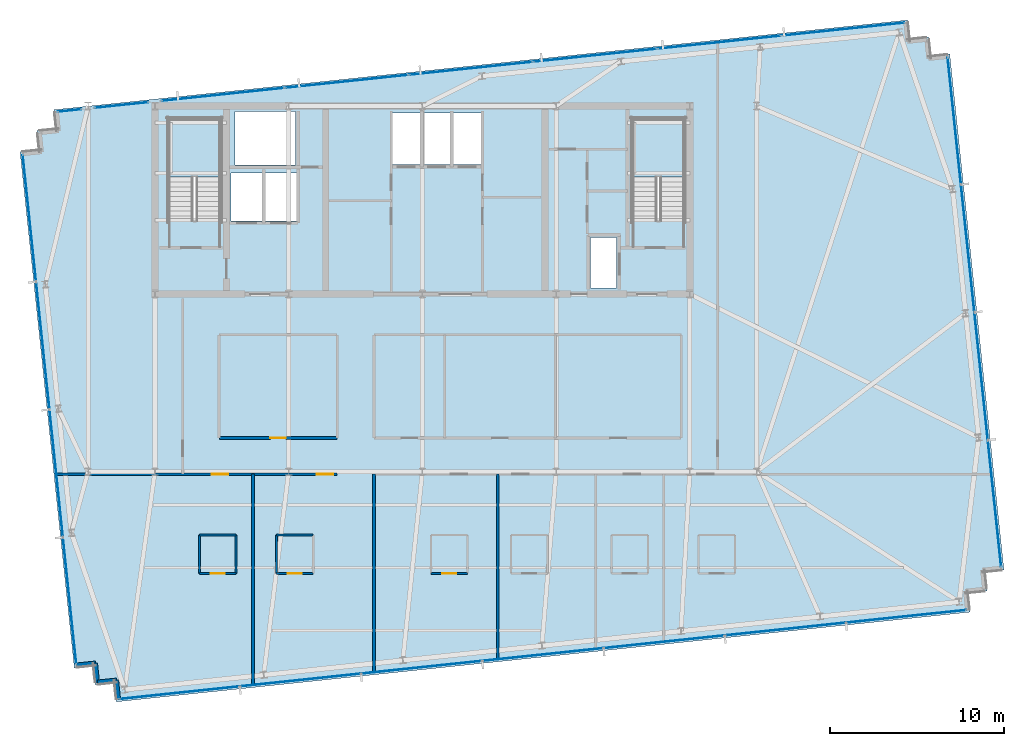
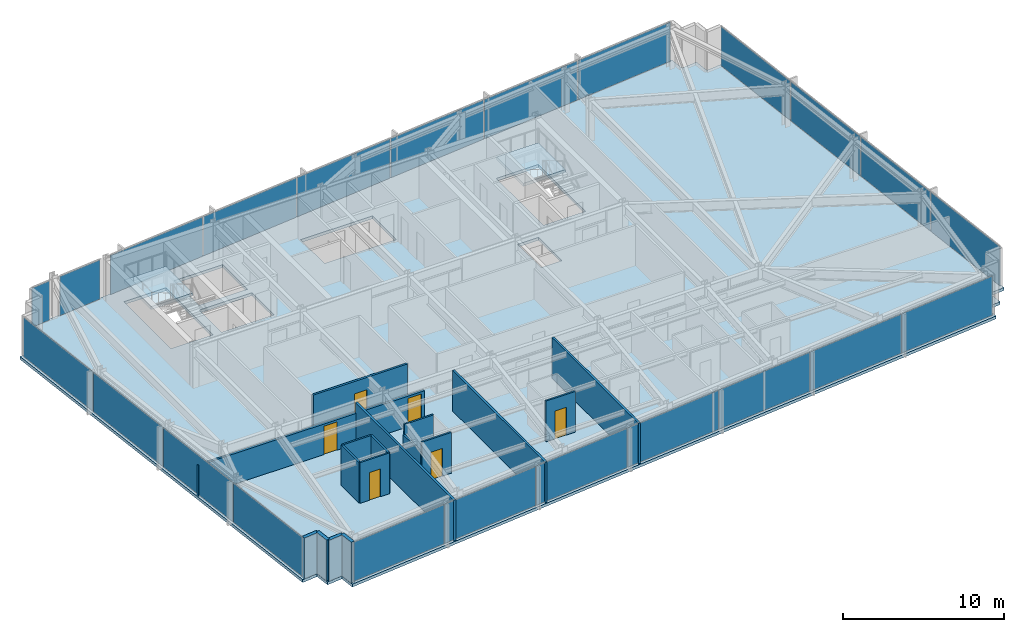
# One storey, part 26 of 33: 23 plates, 17 walls, 6 doors, 3 slabs, 6 openings, 8 elements without a shape of their own.
"""IFC4 building model written with IfcOpenShell, lengths in metres."""

from ifc_helpers import new_model, si_unit, direction, frame, frame_2d, origin, origin_2d, place, context, subcontext, project, spatial, polyline, rectangle, outline, extrude, material, layer, layer_set, type_object, element, fill, aggregate, save


model = new_model("IFC4")

# Units and contexts
model_context = context("Model", 3, precision=1e-05, world=origin(), true_north=direction((0.0, 1.0)))
body_context = subcontext(model_context, "Body", "Model", "MODEL_VIEW")
ifc_project = project(units=[si_unit("LENGTHUNIT", "METRE"), si_unit("AREAUNIT", "SQUARE_METRE"), si_unit("VOLUMEUNIT", "CUBIC_METRE"), si_unit("PLANEANGLEUNIT", "RADIAN"), si_unit("MASSUNIT", "GRAM", prefix="KILO")], contexts=[model_context])

# Site, building, storey
site_placement = place(None, origin())
site = spatial("IfcSite", under=ifc_project, at=site_placement, CompositionType="ELEMENT")
building_placement = place(site_placement, origin())
building = spatial("IfcBuilding", under=site, at=building_placement, Name="Yelkora Congress Tower", CompositionType="ELEMENT")
storey_placement = place(building_placement, frame((0.0, 0.0, 240.800048828125)))
storey = spatial("IfcBuildingStorey", under=building, at=storey_placement, Name="L67", CompositionType="ELEMENT", Elevation=240.800048828125)

# Curtain wall, plates
ifc_material_1 = material(Name="Anodised aluminium and insulated glass", Category="aluminium")
curtain_wall_type = type_object("IfcCurtainWallType", Name="CW-SYS-B4", PredefinedType="NOTDEFINED", material=ifc_material_1)
curtain_wall_1_placement = place(storey_placement, origin())
curtain_wall_1 = element("IfcCurtainWall", 1, at=curtain_wall_1_placement, inside=storey, type_object=curtain_wall_type, Name="L67 Unitised Curtain Wall 5", PredefinedType="NOTDEFINED")
ifc_material_2 = material(Name="Triple-silver diplomatic glass unit B4", Category="glass")
ifc_layer_1 = layer(ifc_material_2, 0.035888671875)
ifc_layer_set_1 = layer_set([ifc_layer_1], Name="Triple-silver diplomatic glass unit B4")
plate_type = type_object("IfcPlateType", Name="PLT-PN-B4", PredefinedType="CURTAIN_PANEL", material=ifc_layer_set_1)
plate_1_placement = place(storey_placement, frame((18.139404296875, 17.7724609375, 0.06005859375), z_axis=(0.0, 0.0, 1.0), x_axis=(-0.104526079034, 0.994522145958, 0.0)))
plate_1 = element("IfcPlate", 2, at=plate_1_placement, type_object=plate_type, Name="CW-B4 panel 1.1", PredefinedType="CURTAIN_PANEL", context=body_context, shape_type="SweptSolid", body=[
    extrude(rectangle(XDim=7.282470703125, YDim=0.035888671875, at=origin_2d()), origin(), (0.0, 0.0, 1.0), 2.9599609375),
])
plate_2_placement = place(storey_placement, frame((17.36962890625, 25.095703125, 0.06005859375), z_axis=(0.0, 0.0, 1.0), x_axis=(-0.104526079034, 0.994522145958, 0.0)))
plate_2 = element("IfcPlate", 3, at=plate_2_placement, type_object=plate_type, Name="CW-B4 panel 2.1", PredefinedType="CURTAIN_PANEL", context=body_context, shape_type="SweptSolid", body=[
    extrude(rectangle(XDim=7.31494140625, YDim=0.035888671875, at=origin_2d()), origin(), (0.0, 0.0, 1.0), 2.9599609375),
])
plate_3_placement = place(storey_placement, frame((16.59814453125, 32.435302734375, 0.06005859375), z_axis=(0.0, 0.0, 1.0), x_axis=(-0.104526079034, 0.994522145958, 0.0)))
plate_3 = element("IfcPlate", 4, at=plate_3_placement, type_object=plate_type, Name="CW-B4 panel 3.1", PredefinedType="CURTAIN_PANEL", context=body_context, shape_type="SweptSolid", body=[
    extrude(rectangle(XDim=7.31494140625, YDim=0.035888671875, at=origin_2d()), origin(), (0.0, 0.0, 1.0), 2.9599609375),
])
plate_4_placement = place(storey_placement, frame((15.82861328125, 39.7587890625, 0.06005859375), z_axis=(0.0, 0.0, 1.0), x_axis=(-0.104526079034, 0.994522145958, 0.0)))
plate_4 = element("IfcPlate", 5, at=plate_4_placement, type_object=plate_type, Name="CW-B4 panel 4.1", PredefinedType="CURTAIN_PANEL", context=body_context, shape_type="SweptSolid", body=[
    extrude(rectangle(XDim=7.282470703125, YDim=0.035888671875, at=origin_2d()), origin(), (0.0, 0.0, 1.0), 2.9599609375),
])
aggregate(curtain_wall_1, [plate_1, plate_2, plate_3, plate_4])

# Curtain wall, plate
curtain_wall_2_placement = place(storey_placement, origin())
curtain_wall_2 = element("IfcCurtainWall", 6, at=curtain_wall_2_placement, inside=storey, type_object=curtain_wall_type, Name="L67 Unitised Curtain Wall 10 (1)", PredefinedType="NOTDEFINED")
plate_5_placement = place(storey_placement, frame((18.136474609375, 45.940185546875, 0.06005859375), z_axis=(0.0, 0.0, 1.0), x_axis=(0.994523910137, 0.104509292244, 0.0)))
plate_5 = element("IfcPlate", 7, at=plate_5_placement, type_object=plate_type, Name="CW-B4 panel 1.1", PredefinedType="CURTAIN_PANEL", context=body_context, shape_type="SweptSolid", body=[
    extrude(rectangle(XDim=1.35302734375, YDim=0.035888671875, at=origin_2d()), origin(), (0.0, 0.0, 1.0), 2.9599609375),
])
aggregate(curtain_wall_2, [plate_5])

curtain_wall_3_placement = place(storey_placement, origin())
curtain_wall_3 = element("IfcCurtainWall", 8, at=curtain_wall_3_placement, inside=storey, type_object=curtain_wall_type, Name="L67 Unitised Curtain Wall 10 (2)", PredefinedType="NOTDEFINED")
plate_6_placement = place(storey_placement, frame((21.1201171875, 46.253662109375, 0.06005859375), z_axis=(0.0, 0.0, 1.0), x_axis=(0.994524239868, 0.104506154437, 0.0)))
plate_6 = element("IfcPlate", 9, at=plate_6_placement, type_object=plate_type, Name="CW-B4 panel 1.1", PredefinedType="CURTAIN_PANEL", context=body_context, shape_type="SweptSolid", body=[
    extrude(rectangle(XDim=3.075439453125, YDim=0.035888671875, at=origin_2d()), origin(), (0.0, 0.0, 1.0), 2.9599609375),
])
aggregate(curtain_wall_3, [plate_6])

# Curtain wall, plates
curtain_wall_4_placement = place(storey_placement, origin())
curtain_wall_4 = element("IfcCurtainWall", 10, at=curtain_wall_4_placement, inside=storey, type_object=curtain_wall_type, Name="L67 Unitised Curtain Wall 10 (3)", PredefinedType="NOTDEFINED")
plate_7_placement = place(storey_placement, frame((26.947509765625, 46.8662109375, 0.06005859375), z_axis=(0.0, 0.0, 1.0), x_axis=(0.994521973066, 0.104527724021, 0.0)))
plate_7 = element("IfcPlate", 11, at=plate_7_placement, type_object=plate_type, Name="CW-B4 panel 1.1", PredefinedType="CURTAIN_PANEL", context=body_context, shape_type="SweptSolid", body=[
    extrude(rectangle(XDim=7.072509765625, YDim=0.035888671875, at=origin_2d()), origin(), (0.0, 0.0, 1.0), 2.9599609375),
])
plate_8_placement = place(storey_placement, frame((34.06201171875, 47.614013671875, 0.06005859375), z_axis=(0.0, 0.0, 1.0), x_axis=(0.994521973066, 0.104527724021, 0.0)))
plate_8 = element("IfcPlate", 12, at=plate_8_placement, type_object=plate_type, Name="CW-B4 panel 2.1", PredefinedType="CURTAIN_PANEL", context=body_context, shape_type="SweptSolid", body=[
    extrude(rectangle(XDim=7.10498046875, YDim=0.035888671875, at=origin_2d()), origin(), (0.0, 0.0, 1.0), 2.9599609375),
])
plate_9_placement = place(storey_placement, frame((41.19287109375, 48.363525390625, 0.06005859375), z_axis=(0.0, 0.0, 1.0), x_axis=(0.994521973066, 0.104527724021, 0.0)))
plate_9 = element("IfcPlate", 13, at=plate_9_placement, type_object=plate_type, Name="CW-B4 panel 3.1", PredefinedType="CURTAIN_PANEL", context=body_context, shape_type="SweptSolid", body=[
    extrude(rectangle(XDim=7.10498046875, YDim=0.035888671875, at=origin_2d()), origin(), (0.0, 0.0, 1.0), 2.9599609375),
])
plate_10_placement = place(storey_placement, frame((48.32373046875, 49.113037109375, 0.06005859375), z_axis=(0.0, 0.0, 1.0), x_axis=(0.994521973066, 0.104527724021, 0.0)))
plate_10 = element("IfcPlate", 14, at=plate_10_placement, type_object=plate_type, Name="CW-B4 panel 4.1", PredefinedType="CURTAIN_PANEL", context=body_context, shape_type="SweptSolid", body=[
    extrude(rectangle(XDim=7.10498046875, YDim=0.035888671875, at=origin_2d()), origin(), (0.0, 0.0, 1.0), 2.9599609375),
])
plate_11_placement = place(storey_placement, frame((55.454345703125, 49.8623046875, 0.06005859375), z_axis=(0.0, 0.0, 1.0), x_axis=(0.994521973066, 0.104527724021, 0.0)))
plate_11 = element("IfcPlate", 15, at=plate_11_placement, type_object=plate_type, Name="CW-B4 panel 5.1", PredefinedType="CURTAIN_PANEL", context=body_context, shape_type="SweptSolid", body=[
    extrude(rectangle(XDim=7.10498046875, YDim=0.035888671875, at=origin_2d()), origin(), (0.0, 0.0, 1.0), 2.9599609375),
])
plate_12_placement = place(storey_placement, frame((62.56884765625, 50.610107421875, 0.06005859375), z_axis=(0.0, 0.0, 1.0), x_axis=(0.994521973066, 0.104527724021, 0.0)))
plate_12 = element("IfcPlate", 16, at=plate_12_placement, type_object=plate_type, Name="CW-B4 panel 6.1", PredefinedType="CURTAIN_PANEL", context=body_context, shape_type="SweptSolid", body=[
    extrude(rectangle(XDim=7.072509765625, YDim=0.035888671875, at=origin_2d()), origin(), (0.0, 0.0, 1.0), 2.9599609375),
])
aggregate(curtain_wall_4, [plate_7, plate_8, plate_9, plate_10, plate_11, plate_12])

curtain_wall_5_placement = place(storey_placement, origin())
curtain_wall_5 = element("IfcCurtainWall", 17, at=curtain_wall_5_placement, inside=storey, type_object=curtain_wall_type, Name="L67 Unitised Curtain Wall 15", PredefinedType="NOTDEFINED")
plate_13_placement = place(storey_placement, frame((68.955810546875, 45.3427734375, 0.06005859375), z_axis=(0.0, 0.0, 1.0), x_axis=(0.104525726898, -0.994522182968, 0.0)))
plate_13 = element("IfcPlate", 18, at=plate_13_placement, type_object=plate_type, Name="CW-B4 panel 1.1", PredefinedType="CURTAIN_PANEL", context=body_context, shape_type="SweptSolid", body=[
    extrude(rectangle(XDim=7.282470703125, YDim=0.035888671875, at=origin_2d()), origin(), (0.0, 0.0, 1.0), 2.9599609375),
])
plate_14_placement = place(storey_placement, frame((69.7255859375, 38.019287109375, 0.06005859375), z_axis=(0.0, 0.0, 1.0), x_axis=(0.104525726898, -0.994522182968, 0.0)))
plate_14 = element("IfcPlate", 19, at=plate_14_placement, type_object=plate_type, Name="CW-B4 panel 2.1", PredefinedType="CURTAIN_PANEL", context=body_context, shape_type="SweptSolid", body=[
    extrude(rectangle(XDim=7.31494140625, YDim=0.035888671875, at=origin_2d()), origin(), (0.0, 0.0, 1.0), 2.9599609375),
])
plate_15_placement = place(storey_placement, frame((70.496826171875, 30.6796875, 0.06005859375), z_axis=(0.0, 0.0, 1.0), x_axis=(0.104525726898, -0.994522182968, 0.0)))
plate_15 = element("IfcPlate", 20, at=plate_15_placement, type_object=plate_type, Name="CW-B4 panel 3.1", PredefinedType="CURTAIN_PANEL", context=body_context, shape_type="SweptSolid", body=[
    extrude(rectangle(XDim=7.31494140625, YDim=0.035888671875, at=origin_2d()), origin(), (0.0, 0.0, 1.0), 2.9599609375),
])
plate_16_placement = place(storey_placement, frame((71.2666015625, 23.356201171875, 0.06005859375), z_axis=(0.0, 0.0, 1.0), x_axis=(0.104525726898, -0.994522182968, 0.0)))
plate_16 = element("IfcPlate", 21, at=plate_16_placement, type_object=plate_type, Name="CW-B4 panel 4.1", PredefinedType="CURTAIN_PANEL", context=body_context, shape_type="SweptSolid", body=[
    extrude(rectangle(XDim=7.282470703125, YDim=0.035888671875, at=origin_2d()), origin(), (0.0, 0.0, 1.0), 2.9599609375),
])
aggregate(curtain_wall_5, [plate_13, plate_14, plate_15, plate_16])

curtain_wall_6_placement = place(storey_placement, origin())
curtain_wall_6 = element("IfcCurtainWall", 22, at=curtain_wall_6_placement, inside=storey, type_object=curtain_wall_type, Name="L67 Unitised Curtain Wall 20", PredefinedType="NOTDEFINED")
plate_17_placement = place(storey_placement, frame((66.19775390625, 16.884765625, 0.06005859375), z_axis=(0.0, 0.0, 1.0), x_axis=(-0.994522084373, -0.104526664994, 0.0)))
plate_17 = element("IfcPlate", 23, at=plate_17_placement, type_object=plate_type, Name="CW-B4 panel 1.1", PredefinedType="CURTAIN_PANEL", context=body_context, shape_type="SweptSolid", body=[
    extrude(rectangle(XDim=6.9052734375, YDim=0.035888671875, at=origin_2d()), origin(), (0.0, 0.0, 1.0), 2.9599609375),
])
plate_18_placement = place(storey_placement, frame((59.249267578125, 16.154541015625, 0.06005859375), z_axis=(0.0, 0.0, 1.0), x_axis=(-0.994522084373, -0.104526664994, 0.0)))
plate_18 = element("IfcPlate", 24, at=plate_18_placement, type_object=plate_type, Name="CW-B4 panel 2.1", PredefinedType="CURTAIN_PANEL", context=body_context, shape_type="SweptSolid", body=[
    extrude(rectangle(XDim=6.937744140625, YDim=0.035888671875, at=origin_2d()), origin(), (0.0, 0.0, 1.0), 2.9599609375),
])
plate_19_placement = place(storey_placement, frame((52.284912109375, 15.42236328125, 0.06005859375), z_axis=(0.0, 0.0, 1.0), x_axis=(-0.994522084373, -0.104526664994, 0.0)))
plate_19 = element("IfcPlate", 25, at=plate_19_placement, type_object=plate_type, Name="CW-B4 panel 3.1", PredefinedType="CURTAIN_PANEL", context=body_context, shape_type="SweptSolid", body=[
    extrude(rectangle(XDim=6.937744140625, YDim=0.035888671875, at=origin_2d()), origin(), (0.0, 0.0, 1.0), 2.9599609375),
])
plate_20_placement = place(storey_placement, frame((45.3203125, 14.6904296875, 0.06005859375), z_axis=(0.0, 0.0, 1.0), x_axis=(-0.994522084373, -0.104526664994, 0.0)))
plate_20 = element("IfcPlate", 26, at=plate_20_placement, type_object=plate_type, Name="CW-B4 panel 4.1", PredefinedType="CURTAIN_PANEL", context=body_context, shape_type="SweptSolid", body=[
    extrude(rectangle(XDim=6.937744140625, YDim=0.035888671875, at=origin_2d()), origin(), (0.0, 0.0, 1.0), 2.9599609375),
])
plate_21_placement = place(storey_placement, frame((38.35595703125, 13.95849609375, 0.06005859375), z_axis=(0.0, 0.0, 1.0), x_axis=(-0.994522084373, -0.104526664994, 0.0)))
plate_21 = element("IfcPlate", 27, at=plate_21_placement, type_object=plate_type, Name="CW-B4 panel 5.1", PredefinedType="CURTAIN_PANEL", context=body_context, shape_type="SweptSolid", body=[
    extrude(rectangle(XDim=6.937744140625, YDim=0.035888671875, at=origin_2d()), origin(), (0.0, 0.0, 1.0), 2.9599609375),
])
plate_22_placement = place(storey_placement, frame((31.391357421875, 13.2265625, 0.06005859375), z_axis=(0.0, 0.0, 1.0), x_axis=(-0.994522084373, -0.104526664994, 0.0)))
plate_22 = element("IfcPlate", 28, at=plate_22_placement, type_object=plate_type, Name="CW-B4 panel 6.1", PredefinedType="CURTAIN_PANEL", context=body_context, shape_type="SweptSolid", body=[
    extrude(rectangle(XDim=6.937744140625, YDim=0.035888671875, at=origin_2d()), origin(), (0.0, 0.0, 1.0), 2.9599609375),
])
plate_23_placement = place(storey_placement, frame((24.443115234375, 12.49609375, 0.06005859375), z_axis=(0.0, 0.0, 1.0), x_axis=(-0.994522084373, -0.104526664994, 0.0)))
plate_23 = element("IfcPlate", 29, at=plate_23_placement, type_object=plate_type, Name="CW-B4 panel 7.1", PredefinedType="CURTAIN_PANEL", context=body_context, shape_type="SweptSolid", body=[
    extrude(rectangle(XDim=6.9052734375, YDim=0.035888671875, at=origin_2d()), origin(), (0.0, 0.0, 1.0), 2.9599609375),
])
aggregate(curtain_wall_6, [plate_17, plate_18, plate_19, plate_20, plate_21, plate_22, plate_23])

# Stair, slab
ifc_material_3 = material(Name="Concrete C40/50", Category="concrete")
stair_type = type_object("IfcStairType", Name="STAIR-HT-1420-R20-165", PredefinedType="HALF_TURN_STAIR", material=ifc_material_3)
stair_1_placement = place(storey_placement, origin())
stair_1 = element("IfcStair", 30, at=stair_1_placement, inside=storey, type_object=stair_type, Name="West Core Protected Exit Stair ST-01 (L67)", PredefinedType="HALF_TURN_STAIR")
ifc_layer_2 = layer(ifc_material_3, 0.219970703125)
ifc_layer_set_2 = layer_set([ifc_layer_2], Name="Concrete C40/50")
slab_type_1 = type_object("IfcSlabType", Name="SLAB-LANDING-220", PredefinedType="LANDING", material=ifc_layer_set_2)
slab_1_placement = place(storey_placement, frame((0.0, 0.0, 1.429931640625)))
slab_1 = element("IfcSlab", 31, at=slab_1_placement, type_object=slab_type_1, Name="ST-01 L67 Half Landing 1", PredefinedType="LANDING", context=body_context, shape_type="SweptSolid", body=[
    extrude(outline(polyline([(26.820068359375, 42.1201171875), (26.820068359375, 45.469970703125), (23.820068359375, 45.469970703125), (23.820068359375, 42.1201171875), (26.820068359375, 42.1201171875)])), origin(), (0.0, 0.0, 1.0), 0.219970703125),
])
aggregate(stair_1, [slab_1])

stair_2_placement = place(storey_placement, origin())
stair_2 = element("IfcStair", 32, at=stair_2_placement, inside=storey, type_object=stair_type, Name="East Core Protected Exit Stair ST-02 (L67)", PredefinedType="HALF_TURN_STAIR")
slab_2_placement = place(storey_placement, frame((0.0, 0.0, 1.429931640625)))
slab_2 = element("IfcSlab", 33, at=slab_2_placement, type_object=slab_type_1, Name="ST-02 L67 Half Landing 1", PredefinedType="LANDING", context=body_context, shape_type="SweptSolid", body=[
    extrude(outline(polyline([(53.4599609375, 42.1201171875), (53.4599609375, 45.469970703125), (50.4599609375, 45.469970703125), (50.4599609375, 42.1201171875), (53.4599609375, 42.1201171875)])), origin(), (0.0, 0.0, 1.0), 0.219970703125),
])
aggregate(stair_2, [slab_2])

# Slab
ifc_layer_3 = layer(ifc_material_3, 0.219970703125)
ifc_layer_set_3 = layer_set([ifc_layer_3], Name="Concrete C40/50")
slab_type_2 = type_object("IfcSlabType", Name="SLAB-TWR-220", PredefinedType="FLOOR", material=ifc_layer_set_3)
slab_3_placement = place(storey_placement, frame((0.0, 0.0, -0.219970703125)))
element("IfcSlab", 34, at=slab_3_placement, inside=storey, type_object=slab_type_2, Name="L67 Structural Floor Slab", PredefinedType="FLOOR", context=body_context, shape_type="SweptSolid", body=[
    extrude(outline(polyline([(20.820068359375, 11.974609375), (69.85009765625, 17.127685546875), (69.735107421875, 18.2216796875), (70.828857421875, 18.3369140625), (70.714111328125, 19.430908203125), (71.807861328125, 19.545654296875), (68.693115234375, 49.1826171875), (67.59912109375, 49.0673828125), (67.48388671875, 50.16162109375), (66.39013671875, 50.04638671875), (66.275146484375, 51.140380859375), (17.2451171875, 45.9873046875), (17.360107421875, 44.893310546875), (16.26611328125, 44.7783203125), (16.381103515625, 43.684326171875), (15.287109375, 43.5693359375), (18.402099609375, 13.9326171875), (19.49609375, 14.047607421875), (19.611083984375, 12.95361328125), (20.705078125, 13.068603515625), (20.820068359375, 11.974609375)]), holes=[polyline([(23.820068359375, 39.6298828125), (26.820068359375, 39.6298828125), (26.820068359375, 45.469970703125), (23.820068359375, 45.469970703125), (23.820068359375, 39.6298828125)]), polyline([(50.4599609375, 39.6298828125), (53.4599609375, 39.6298828125), (53.4599609375, 45.469970703125), (50.4599609375, 45.469970703125), (50.4599609375, 39.6298828125)]), polyline([(48.050048828125, 35.75), (49.550048828125, 35.75), (49.550048828125, 38.64990234375), (48.050048828125, 38.64990234375), (48.050048828125, 35.75)]), polyline([(36.64990234375, 42.85009765625), (41.800048828125, 42.85009765625), (41.800048828125, 45.800048828125), (36.64990234375, 45.800048828125), (36.64990234375, 42.85009765625)]), polyline([(27.419921875, 39.60009765625), (31.179931640625, 39.60009765625), (31.179931640625, 42.35009765625), (27.419921875, 42.35009765625), (27.419921875, 39.60009765625)]), polyline([(27.64990234375, 42.820068359375), (31.1201171875, 42.820068359375), (31.1201171875, 45.8798828125), (27.64990234375, 45.8798828125), (27.64990234375, 42.820068359375)])]), origin(), (0.0, 0.0, 1.0), 0.219970703125),
])

# Walls
ifc_layer_4 = layer(ifc_material_3, 0.239990234375)
ifc_layer_set_4 = layer_set([ifc_layer_4], Name="Concrete C40/50")
wall_type_1 = type_object("IfcWallType", Name="WALL-EXT-LIMESTONE-240", PredefinedType="SOLIDWALL", material=ifc_layer_set_4)
for number, where, z_axis, x_axis, name in (
    (35, (20.944580078125, 12.12841796875, 0.0), (0.0, 0.0, 1.0), (-0.104534592565, 0.994521251134, 0.0), "L67 Serrated Corner Limestone Pier 1"),
    (36, (20.82958984375, 13.222412109375, 0.0), (0.0, 0.0, 1.0), (-0.994521251134, -0.104534592565, 0.0), "L67 Serrated Corner Limestone Pier 2"),
    (37, (19.735595703125, 13.107421875, 0.0), (0.0, 0.0, 1.0), (-0.104534592565, 0.994521251134, 0.0), "L67 Serrated Corner Limestone Pier 3"),
    (38, (19.62060546875, 14.201416015625, 0.0), (0.0, 0.0, 1.0), (-0.994521251134, -0.104534592565, 0.0), "L67 Serrated Corner Limestone Pier 4"),
):
    element("IfcWall", number, at=place(storey_placement, frame(where, z_axis=z_axis, x_axis=x_axis)), inside=storey, type_object=wall_type_1, Name=name, PredefinedType="SOLIDWALL", context=body_context, shape_type="SweptSolid", body=[
        extrude(rectangle(XDim=1.10009765625, YDim=0.239990234375, at=frame_2d((0.550048828125, 0.0))), origin(), (0.0, 0.0, 1.0), 3.079833984375),
    ])
ifc_material_4 = material(Name="Moisture-resistant gypsum partition", Category="gypsum")
ifc_layer_5 = layer(ifc_material_4, 0.1201171875)
ifc_layer_set_5 = layer_set([ifc_layer_5], Name="Moisture-resistant gypsum partition")
wall_type_2 = type_object("IfcWallType", Name="WALL-INT-120-NR", PredefinedType="PARTITIONING", material=ifc_layer_set_5)
wall_1_placement = place(storey_placement, frame((25.60498046875, 21.550048828125, 0.0), z_axis=(0.0, 0.0, 1.0), x_axis=(1.0, 0.0, 0.0)))
element("IfcWall", 39, at=wall_1_placement, inside=storey, type_object=wall_type_2, Name="L67 Partition Wall 23", PredefinedType="PARTITIONING", context=body_context, shape_type="SweptSolid", body=[
    extrude(rectangle(XDim=2.10009765625, YDim=0.1201171875, at=frame_2d((1.050048828125, 0.0))), origin(), (0.0, 0.0, 1.0), 3.079833984375),
])
for number, where, z_axis, x_axis, name in (
    (40, (25.60498046875, 19.35009765625, 0.0), (0.0, 0.0, 1.0), (0.0, 1.0, 0.0), "L67 Partition Wall 24"),
    (41, (27.705078125, 19.35009765625, 0.0), (0.0, 0.0, 1.0), (0.0, 1.0, 0.0), "L67 Partition Wall 25"),
):
    element("IfcWall", number, at=place(storey_placement, frame(where, z_axis=z_axis, x_axis=x_axis)), inside=storey, type_object=wall_type_2, Name=name, PredefinedType="PARTITIONING", context=body_context, shape_type="SweptSolid", body=[
        extrude(rectangle(XDim=2.199951171875, YDim=0.1201171875, at=frame_2d((1.10009765625, 0.0))), origin(), (0.0, 0.0, 1.0), 3.079833984375),
    ])

# Wall, opening, door
wall_2_placement = place(storey_placement, frame((25.60498046875, 19.35009765625, 0.0), z_axis=(0.0, 0.0, 1.0), x_axis=(1.0, 0.0, 0.0)))
wall_2 = element("IfcWall", 42, at=wall_2_placement, inside=storey, type_object=wall_type_2, Name="L67 Partition Wall 26", PredefinedType="PARTITIONING", context=body_context, shape_type="SweptSolid", body=[
    extrude(rectangle(XDim=2.10009765625, YDim=0.1201171875, at=frame_2d((1.050048828125, 0.0))), origin(), (0.0, 0.0, 1.0), 3.079833984375),
])
opening_1_placement = place(wall_2_placement, frame((0.64990234375, 0.0, 0.0)))
opening_1 = element("IfcOpeningElement", 43, at=opening_1_placement, cuts=wall_2, Name="Opening DR-080B", PredefinedType="OPENING", context=body_context, shape_type="SweptSolid", body=[
    extrude(rectangle(XDim=0.800048828125, YDim=2.10009765625, at=frame_2d((0.39990234375, 1.050048828125))), frame((0.0, 0.070068359375, 0.0), z_axis=(0.0, -1.0, 0.0), x_axis=(1.0, 0.0, 0.0)), (0.0, 0.0, 1.0), 0.14013671875),
])
ifc_material_5 = material(Name="Moisture-sealed en-suite timber door", Category="wood")
door_type_1 = type_object("IfcDoorType", Name="DOOR-BATH-800", OperationType="NOTDEFINED", PredefinedType="DOOR", material=ifc_material_5)
door_1_placement = place(opening_1_placement, origin())
door_1 = element("IfcDoor", 44, at=door_1_placement, inside=storey, type_object=door_type_1, Name="L67 En-suite Door 1", OperationType="SINGLE_SWING_RIGHT", OverallHeight=2.10009765625, OverallWidth=0.800048828125, PredefinedType="DOOR", context=body_context, shape_type="SweptSolid", body=[
    extrude(rectangle(XDim=0.800048828125, YDim=2.10009765625, at=frame_2d((0.39990234375, 1.050048828125))), frame((0.0, 0.02490234375, 0.0), z_axis=(0.0, -1.0, 0.0), x_axis=(1.0, 0.0, 0.0)), (0.0, 0.0, 1.0), 0.050048828125),
])
fill(opening_1, door_1)

# Walls
wall_3_placement = place(storey_placement, frame((30.030029296875, 21.550048828125, 0.0), z_axis=(0.0, 0.0, 1.0), x_axis=(1.0, 0.0, 0.0)))
element("IfcWall", 45, at=wall_3_placement, inside=storey, type_object=wall_type_2, Name="L67 Partition Wall 27", PredefinedType="PARTITIONING", context=body_context, shape_type="SweptSolid", body=[
    extrude(rectangle(XDim=2.099853515625, YDim=0.1201171875, at=frame_2d((1.0498046875, 0.0))), origin(), (0.0, 0.0, 1.0), 3.079833984375),
])
wall_4_placement = place(storey_placement, frame((30.030029296875, 19.35009765625, 0.0), z_axis=(0.0, 0.0, 1.0), x_axis=(0.0, 1.0, 0.0)))
element("IfcWall", 46, at=wall_4_placement, inside=storey, type_object=wall_type_2, Name="L67 Partition Wall 28", PredefinedType="PARTITIONING", context=body_context, shape_type="SweptSolid", body=[
    extrude(rectangle(XDim=2.199951171875, YDim=0.1201171875, at=frame_2d((1.10009765625, 0.0))), origin(), (0.0, 0.0, 1.0), 2.31298828125),
])

# Wall, opening, door
wall_5_placement = place(storey_placement, frame((30.030029296875, 19.35009765625, 0.0), z_axis=(0.0, 0.0, 1.0), x_axis=(1.0, 0.0, 0.0)))
wall_5 = element("IfcWall", 47, at=wall_5_placement, inside=storey, type_object=wall_type_2, Name="L67 Partition Wall 30", PredefinedType="PARTITIONING", context=body_context, shape_type="SweptSolid", body=[
    extrude(rectangle(XDim=2.099853515625, YDim=0.1201171875, at=frame_2d((1.0498046875, 0.0))), origin(), (0.0, 0.0, 1.0), 3.079833984375),
])
opening_2_placement = place(wall_5_placement, frame((0.64990234375, 0.0, 0.0)))
opening_2 = element("IfcOpeningElement", 48, at=opening_2_placement, cuts=wall_5, Name="Opening DR-080B", PredefinedType="OPENING", context=body_context, shape_type="SweptSolid", body=[
    extrude(rectangle(XDim=0.800048828125, YDim=2.10009765625, at=frame_2d((0.39990234375, 1.050048828125))), frame((0.0, 0.070068359375, 0.0), z_axis=(0.0, -1.0, 0.0), x_axis=(1.0, 0.0, 0.0)), (0.0, 0.0, 1.0), 0.14013671875),
])
door_2_placement = place(opening_2_placement, origin())
door_2 = element("IfcDoor", 49, at=door_2_placement, inside=storey, type_object=door_type_1, Name="L67 En-suite Door 2", OperationType="SINGLE_SWING_LEFT", OverallHeight=2.10009765625, OverallWidth=0.800048828125, PredefinedType="DOOR", context=body_context, shape_type="SweptSolid", body=[
    extrude(rectangle(XDim=0.800048828125, YDim=2.10009765625, at=frame_2d((0.39990234375, 1.050048828125))), frame((0.0, 0.02490234375, 0.0), z_axis=(0.0, -1.0, 0.0), x_axis=(1.0, 0.0, 0.0)), (0.0, 0.0, 1.0), 0.050048828125),
])
fill(opening_2, door_2)

wall_6_placement = place(storey_placement, frame((38.89990234375, 19.35009765625, 0.0), z_axis=(0.0, 0.0, 1.0), x_axis=(1.0, 0.0, 0.0)))
wall_6 = element("IfcWall", 50, at=wall_6_placement, inside=storey, type_object=wall_type_2, Name="L67 Partition Wall 35", PredefinedType="PARTITIONING", context=body_context, shape_type="SweptSolid", body=[
    extrude(rectangle(XDim=2.10009765625, YDim=0.1201171875, at=frame_2d((1.050048828125, 0.0))), origin(), (0.0, 0.0, 1.0), 3.079833984375),
])
opening_3_placement = place(wall_6_placement, frame((0.64990234375, 0.0, 0.0)))
opening_3 = element("IfcOpeningElement", 51, at=opening_3_placement, cuts=wall_6, Name="Opening DR-080B", PredefinedType="OPENING", context=body_context, shape_type="SweptSolid", body=[
    extrude(rectangle(XDim=0.800048828125, YDim=2.10009765625, at=frame_2d((0.39990234375, 1.050048828125))), frame((0.0, 0.070068359375, 0.0), z_axis=(0.0, -1.0, 0.0), x_axis=(1.0, 0.0, 0.0)), (0.0, 0.0, 1.0), 0.14013671875),
])
door_3_placement = place(opening_3_placement, origin())
door_3 = element("IfcDoor", 52, at=door_3_placement, inside=storey, type_object=door_type_1, Name="L67 En-suite Door 4", OperationType="SINGLE_SWING_RIGHT", OverallHeight=2.10009765625, OverallWidth=0.800048828125, PredefinedType="DOOR", context=body_context, shape_type="SweptSolid", body=[
    extrude(rectangle(XDim=0.800048828125, YDim=2.10009765625, at=frame_2d((0.39990234375, 1.050048828125))), frame((0.0, 0.02490234375, 0.0), z_axis=(0.0, -1.0, 0.0), x_axis=(1.0, 0.0, 0.0)), (0.0, 0.0, 1.0), 0.050048828125),
])
fill(opening_3, door_3)

ifc_material_6 = material(Name="Acoustic metal-stud gypsum partition", Category="gypsum")
ifc_layer_6 = layer(ifc_material_6, 0.14990234375)
ifc_layer_set_6 = layer_set([ifc_layer_6], Name="Acoustic metal-stud gypsum partition")
wall_type_3 = type_object("IfcWallType", Name="WALL-INT-150-NR", PredefinedType="PARTITIONING", material=ifc_layer_set_6)
wall_7_placement = place(storey_placement, frame((26.739990234375, 27.1298828125, 0.0), z_axis=(0.0, 0.0, 1.0), x_axis=(1.0, 0.0, 0.0)))
wall_7 = element("IfcWall", 53, at=wall_7_placement, inside=storey, type_object=wall_type_3, Name="L67 Partition Wall 62", PredefinedType="PARTITIONING", context=body_context, shape_type="SweptSolid", body=[
    extrude(rectangle(XDim=6.75, YDim=0.14990234375, at=frame_2d((3.375, 0.0))), origin(), (0.0, 0.0, 1.0), 3.079833984375),
])
opening_4_placement = place(wall_7_placement, frame((2.925048828125, 0.0, 0.0)))
opening_4 = element("IfcOpeningElement", 54, at=opening_4_placement, cuts=wall_7, Name="Opening DR-090N", PredefinedType="OPENING", context=body_context, shape_type="SweptSolid", body=[
    extrude(rectangle(XDim=0.89990234375, YDim=2.14990234375, at=frame_2d((0.449951171875, 1.074951171875))), frame((0.0, 0.0849609375, 0.0), z_axis=(0.0, -1.0, 0.0), x_axis=(1.0, 0.0, 0.0)), (0.0, 0.0, 1.0), 0.169921875),
])
ifc_material_7 = material(Name="Moisture-resistant laminate door leaf", Category="wood")
door_type_2 = type_object("IfcDoorType", Name="DOOR-INT-900", OperationType="NOTDEFINED", PredefinedType="DOOR", material=ifc_material_7)
door_4_placement = place(opening_4_placement, origin())
door_4 = element("IfcDoor", 55, at=door_4_placement, inside=storey, type_object=door_type_2, Name="L67 Housekeeping & Linen Room Door", OperationType="SINGLE_SWING_RIGHT", OverallHeight=2.14990234375, OverallWidth=0.89990234375, PredefinedType="DOOR", context=body_context, shape_type="SweptSolid", body=[
    extrude(rectangle(XDim=0.89990234375, YDim=2.14990234375, at=frame_2d((0.449951171875, 1.074951171875))), frame((0.0, 0.02490234375, 0.0), z_axis=(0.0, -1.0, 0.0), x_axis=(1.0, 0.0, 0.0)), (0.0, 0.0, 1.0), 0.050048828125),
])
fill(opening_4, door_4)

# Walls
ifc_material_8 = material(Name="Twin-stud fire-rated gypsum partition", Category="gypsum")
ifc_layer_7 = layer(ifc_material_8, 0.14990234375)
ifc_layer_set_7 = layer_set([ifc_layer_7], Name="Twin-stud fire-rated gypsum partition")
wall_type_4 = type_object("IfcWallType", Name="WALL-INT-150-R60", PredefinedType="PARTITIONING", material=ifc_layer_set_7)
wall_8_placement = place(storey_placement, frame((28.669921875, 12.880126953125, 0.0), z_axis=(0.0, 0.0, 1.0), x_axis=(0.0, 1.0, 0.0)))
element("IfcWall", 56, at=wall_8_placement, inside=storey, type_object=wall_type_4, Name="L67 Partition Wall 31", PredefinedType="PARTITIONING", context=body_context, shape_type="SweptSolid", body=[
    extrude(rectangle(XDim=12.18994140625, YDim=0.14990234375, at=frame_2d((6.094970703125, 0.0))), origin(), (0.0, 0.0, 1.0), 3.079833984375),
])
wall_9_placement = place(storey_placement, frame((35.6201171875, 13.610595703125, 0.0), z_axis=(0.0, 0.0, 1.0), x_axis=(0.0, 1.0, 0.0)))
element("IfcWall", 57, at=wall_9_placement, inside=storey, type_object=wall_type_4, Name="L67 Partition Wall 36", PredefinedType="PARTITIONING", context=body_context, shape_type="SweptSolid", body=[
    extrude(rectangle(XDim=11.45947265625, YDim=0.14990234375, at=frame_2d((5.729736328125, 0.0))), origin(), (0.0, 0.0, 1.0), 3.079833984375),
])
wall_10_placement = place(storey_placement, frame((42.73095703125, 14.35791015625, 0.0), z_axis=(0.0, 0.0, 1.0), x_axis=(0.0, 1.0, 0.0)))
element("IfcWall", 58, at=wall_10_placement, inside=storey, type_object=wall_type_4, Name="L67 Partition Wall 41", PredefinedType="PARTITIONING", context=body_context, shape_type="SweptSolid", body=[
    extrude(rectangle(XDim=10.712158203125, YDim=0.14990234375, at=frame_2d((5.35595703125, 0.0))), origin(), (0.0, 0.0, 1.0), 3.079833984375),
])

# Wall, openings, doors
wall_11_placement = place(storey_placement, frame((17.314208984375, 25.050048828125, 0.0), z_axis=(0.0, 0.0, 1.0), x_axis=(1.0, 0.0, 0.0)))
wall_11 = element("IfcWall", 59, at=wall_11_placement, inside=storey, type_object=wall_type_4, Name="L67 South Spine Wall West", PredefinedType="PARTITIONING", context=body_context, shape_type="SweptSolid", body=[
    extrude(rectangle(XDim=16.185791015625, YDim=0.14990234375, at=frame_2d((8.0927734375, 0.0))), origin(), (0.0, 0.0, 1.0), 2.31298828125),
])
opening_5_placement = place(wall_11_placement, frame((8.98095703125, 0.0, 0.0)))
opening_5 = element("IfcOpeningElement", 60, at=opening_5_placement, cuts=wall_11, Name="Opening DR-095F6", PredefinedType="OPENING", context=body_context, shape_type="SweptSolid", body=[
    extrude(rectangle(XDim=0.949951171875, YDim=2.14990234375, at=frame_2d((0.47509765625, 1.074951171875))), frame((0.0, 0.0849609375, 0.0), z_axis=(0.0, -1.0, 0.0), x_axis=(1.0, 0.0, 0.0)), (0.0, 0.0, 1.0), 0.169921875),
])
opening_6_placement = place(wall_11_placement, frame((15.005859375, 0.0, 0.0)))
opening_6 = element("IfcOpeningElement", 61, at=opening_6_placement, cuts=wall_11, Name="Opening DR-095F6", PredefinedType="OPENING", context=body_context, shape_type="SweptSolid", body=[
    extrude(rectangle(XDim=0.949951171875, YDim=2.14990234375, at=frame_2d((0.47509765625, 1.074951171875))), frame((0.0, 0.0849609375, 0.0), z_axis=(0.0, -1.0, 0.0), x_axis=(1.0, 0.0, 0.0)), (0.0, 0.0, 1.0), 0.169921875),
])
ifc_material_9 = material(Name="Acoustic oak-veneer fire door leaf", Category="wood")
door_type_3 = type_object("IfcDoorType", Name="DOOR-FD60-950", OperationType="NOTDEFINED", PredefinedType="DOOR", material=ifc_material_9)
door_5_placement = place(opening_5_placement, origin())
door_5 = element("IfcDoor", 62, at=door_5_placement, inside=storey, type_object=door_type_3, Name="L67 Diplomatic Suite 01 Entry Door", OperationType="SINGLE_SWING_RIGHT", OverallHeight=2.14990234375, OverallWidth=0.949951171875, PredefinedType="DOOR", context=body_context, shape_type="SweptSolid", body=[
    extrude(rectangle(XDim=0.949951171875, YDim=2.14990234375, at=frame_2d((0.47509765625, 1.074951171875))), frame((0.0, 0.02490234375, 0.0), z_axis=(0.0, -1.0, 0.0), x_axis=(1.0, 0.0, 0.0)), (0.0, 0.0, 1.0), 0.050048828125),
])
fill(opening_5, door_5)
door_6_placement = place(opening_6_placement, origin())
door_6 = element("IfcDoor", 63, at=door_6_placement, inside=storey, type_object=door_type_3, Name="L67 Diplomatic Suite 02 Entry Door", OperationType="SINGLE_SWING_LEFT", OverallHeight=2.14990234375, OverallWidth=0.949951171875, PredefinedType="DOOR", context=body_context, shape_type="SweptSolid", body=[
    extrude(rectangle(XDim=0.949951171875, YDim=2.14990234375, at=frame_2d((0.47509765625, 1.074951171875))), frame((0.0, 0.02490234375, 0.0), z_axis=(0.0, -1.0, 0.0), x_axis=(1.0, 0.0, 0.0)), (0.0, 0.0, 1.0), 0.050048828125),
])
fill(opening_6, door_6)

save(model, "model.ifc")
